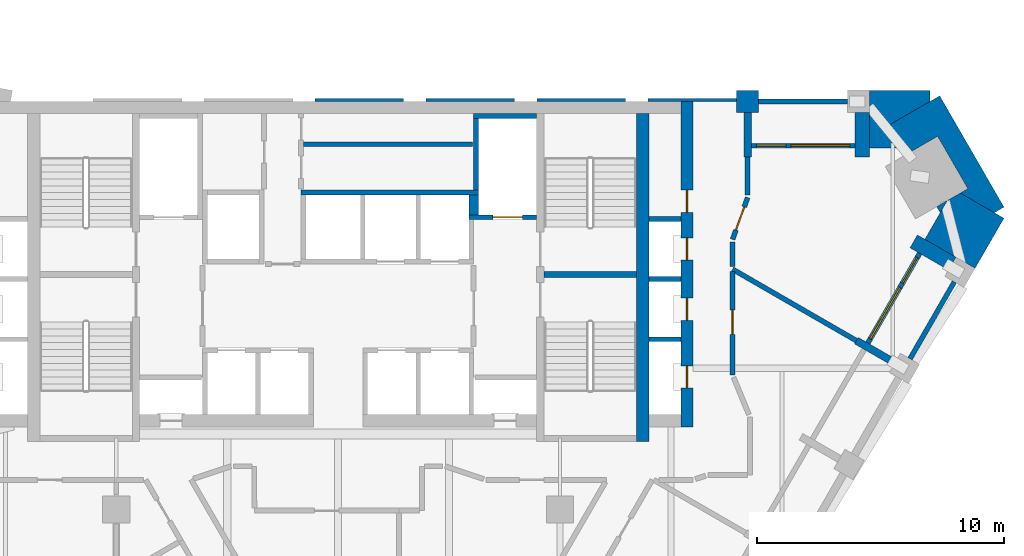
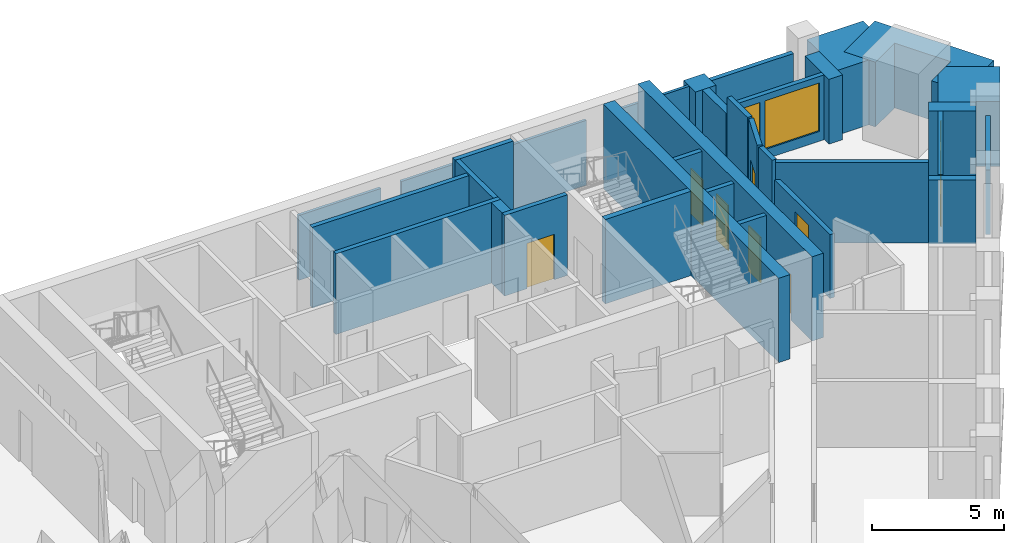
# One storey, part 7 of 9: 34 walls, 9 doors, 2 windows, 11 openings.
"""IFC4 building model written with IfcOpenShell, lengths in metres."""

from ifc_helpers import new_model, si_unit, direction, frame, frame_2d, origin, place, context, subcontext, project, spatial, polyline, rectangle, outline, extrude, material, layer, layer_set, type_object, element, fill, save


model = new_model("IFC4")

# Units and contexts
model_context = context("Model", 3, precision=1e-05, world=origin(), true_north=direction((0.0, 1.0)))
body_context = subcontext(model_context, "Body", "Model", "MODEL_VIEW")
ifc_project = project(units=[si_unit("LENGTHUNIT", "METRE"), si_unit("AREAUNIT", "SQUARE_METRE"), si_unit("VOLUMEUNIT", "CUBIC_METRE"), si_unit("PLANEANGLEUNIT", "RADIAN"), si_unit("MASSUNIT", "GRAM", prefix="KILO")], contexts=[model_context])

# Site, building, storey
site_placement = place(None, origin())
site = spatial("IfcSite", under=ifc_project, at=site_placement, CompositionType="ELEMENT")
building_placement = place(site_placement, origin())
building = spatial("IfcBuilding", under=site, at=building_placement, Name="Calabash Gate Tower", CompositionType="ELEMENT")
storey_placement = place(building_placement, frame((0.0, 0.0, 215.89990234375)))
storey = spatial("IfcBuildingStorey", under=building, at=storey_placement, Name="L51", CompositionType="ELEMENT", Elevation=215.89990234375)

# Walls
ifc_material_1 = material(Name="Terracotta brick masonry, exposed face", Category="masonry")
ifc_layer_1 = layer(ifc_material_1, 2.35009765625)
ifc_layer_set_1 = layer_set([ifc_layer_1], Name="Brick corner mass wall 2350")
wall_type_1 = type_object("IfcWallType", Name="Brick corner mass wall 2350", PredefinedType="SOLIDWALL", material=ifc_layer_set_1)
wall_1_placement = place(storey_placement, origin())
element("IfcWall", 1, at=wall_1_placement, inside=storey, type_object=wall_type_1, Name="Brick corner pier S14 3a", PredefinedType="SOLIDWALL", context=body_context, shape_type="SweptSolid", body=[
    extrude(outline(polyline([(23.80224609375, 13.456298828125), (25.05810546875, 12.731201171875), (25.058349609375, 12.731689453125), (25.837646484375, 12.28173828125), (27.009521484375, 14.311767578125), (25.237548828125, 15.334716796875), (24.711181640625, 15.03076171875), (23.80224609375, 13.456298828125)])), origin(), (0.0, 0.0, 1.0), 3.0),
])
wall_2_placement = place(storey_placement, origin())
element("IfcWall", 2, at=wall_2_placement, inside=storey, type_object=wall_type_1, Name="Brick corner pier S14 3ba", PredefinedType="SOLIDWALL", context=body_context, shape_type="SweptSolid", body=[
    extrude(outline(polyline([(24.426025390625, 14.53662109375), (24.711181640625, 15.03076171875), (24.283203125, 14.78369140625), (24.426025390625, 14.53662109375)])), origin(), (0.0, 0.0, 1.0), 3.0),
])
wall_3_placement = place(storey_placement, origin())
element("IfcWall", 3, at=wall_3_placement, inside=storey, type_object=wall_type_1, Name="Brick corner pier S14 3bb", PredefinedType="SOLIDWALL", context=body_context, shape_type="SweptSolid", body=[
    extrude(outline(polyline([(24.3173828125, 17.63232421875), (25.54248046875, 15.510498046875), (25.237548828125, 15.334716796875), (26.619873046875, 14.53662109375), (27.009521484375, 14.76171875), (24.40234375, 19.277587890625), (22.3671875, 18.1025390625), (23.058349609375, 16.905517578125), (24.3173828125, 17.63232421875)])), origin(), (0.0, 0.0, 1.0), 3.0),
])
wall_4_placement = place(storey_placement, origin())
element("IfcWall", 4, at=wall_4_placement, inside=storey, type_object=wall_type_1, Name="Brick corner pier S14 3c", PredefinedType="SOLIDWALL", context=body_context, shape_type="SweptSolid", body=[
    extrude(outline(polyline([(21.560791015625, 18.60302734375), (21.560791015625, 17.152587890625), (22.91552734375, 17.152587890625), (22.3671875, 18.1025390625), (24.0126953125, 19.052490234375), (24.0126953125, 19.50244140625), (21.56103515625, 19.50244140625), (21.56103515625, 18.60302734375), (21.560791015625, 18.60302734375)])), origin(), (0.0, 0.0, 1.0), 3.0),
])
ifc_material_2 = material(Name="Terracotta brick masonry, exposed face", Category="masonry")
ifc_layer_2 = layer(ifc_material_2, 0.89990234375)
ifc_layer_set_2 = layer_set([ifc_layer_2], Name="Brick end wall 900")
wall_type_2 = type_object("IfcWallType", Name="Brick end wall 900", PredefinedType="SOLIDWALL", material=ifc_layer_set_2)
wall_5_placement = place(storey_placement, origin())
element("IfcWall", 5, at=wall_5_placement, inside=storey, type_object=wall_type_2, Name="Brick pier S14 N4.1", PredefinedType="SOLIDWALL", context=body_context, shape_type="SweptSolid", body=[
    extrude(outline(polyline([(17.060791015625, 19.50244140625), (16.160888671875, 19.50244140625), (16.160888671875, 18.6025390625), (17.060791015625, 18.6025390625), (17.060791015625, 19.50244140625)])), origin(), (0.0, 0.0, 1.0), 3.0),
])
ifc_material_3 = material(Name="Terracotta brick masonry, exposed face", Category="masonry")
ifc_layer_3 = layer(ifc_material_3, 0.300048828125)
ifc_layer_set_3 = layer_set([ifc_layer_3], Name="Brick loggia cheek wall 300")
wall_type_3 = type_object("IfcWallType", Name="Brick loggia cheek wall 300", PredefinedType="SOLIDWALL", material=ifc_layer_set_3)
wall_6_placement = place(storey_placement, frame((21.02392578125, 9.344482421875, 0.0), z_axis=(0.0, 0.0, 1.0), x_axis=(0.865989075817, -0.500062916607, 0.0)))
element("IfcWall", 6, at=wall_6_placement, inside=storey, type_object=wall_type_3, Name="Loggia cheek S14 SE2.8", PredefinedType="SOLIDWALL", context=body_context, shape_type="SweptSolid", body=[
    extrude(rectangle(XDim=1.800048828125, YDim=0.300048828125, at=frame_2d((0.89990234375, 0.0))), origin(), (0.0, 0.0, 1.0), 2.9501953125),
])
wall_7_placement = place(storey_placement, frame((24.907958984375, 12.471435546875, 0.0), z_axis=(0.0, 0.0, 1.0), x_axis=(-0.866047807691, 0.499961193289, 0.0)))
element("IfcWall", 7, at=wall_7_placement, inside=storey, type_object=wall_type_3, Name="Loggia cheek S14 SE2.9", PredefinedType="SOLIDWALL", context=body_context, shape_type="SweptSolid", body=[
    extrude(rectangle(XDim=1.800048828125, YDim=0.60009765625, at=frame_2d((0.89990234375, 0.0))), origin(), (0.0, 0.0, 1.0), 3.0),
])
wall_8_placement = place(storey_placement, origin())
element("IfcWall", 8, at=wall_8_placement, inside=storey, type_object=wall_type_3, Name="Loggia cheek S14 N4.0", PredefinedType="SOLIDWALL", context=body_context, shape_type="SweptSolid", body=[
    extrude(outline(polyline([(21.560791015625, 16.802490234375), (21.560791015625, 18.6025390625), (20.9609375, 18.6025390625), (20.9609375, 16.802490234375), (21.560791015625, 16.802490234375)])), origin(), (0.0, 0.0, 1.0), 3.0),
])
wall_9_placement = place(storey_placement, origin())
element("IfcWall", 9, at=wall_9_placement, inside=storey, type_object=wall_type_3, Name="Loggia cheek S14 N4.1", PredefinedType="SOLIDWALL", context=body_context, shape_type="SweptSolid", body=[
    extrude(outline(polyline([(16.4609375, 18.6025390625), (16.4609375, 16.802490234375), (16.7607421875, 16.802490234375), (16.7607421875, 18.6025390625), (16.4609375, 18.6025390625)])), origin(), (0.0, 0.0, 1.0), 3.0),
])
ifc_material_4 = material(Name="Concrete C70/85", Category="concrete")
ifc_layer_4 = layer(ifc_material_4, 0.25)
ifc_layer_set_4 = layer_set([ifc_layer_4], Name="Core wall 250 Concrete C70/85")
wall_type_4 = type_object("IfcWallType", Name="Core wall 250 Concrete C70/85", PredefinedType="SHEAR", material=ifc_layer_set_4)
wall_10_placement = place(storey_placement, frame((8.35009765625, 12.027587890625, 0.0), z_axis=(0.0, 0.0, 1.0), x_axis=(1.0, 0.0, 0.0)))
element("IfcWall", 10, at=wall_10_placement, inside=storey, type_object=wall_type_4, Name="Core wall Z4-MIDE L51", PredefinedType="SHEAR", context=body_context, shape_type="SweptSolid", body=[
    extrude(rectangle(XDim=3.75, YDim=0.25, at=frame_2d((1.875, 0.0))), origin(), (0.0, 0.0, 1.0), 3.900146484375),
])
ifc_material_5 = material(Name="Concrete C70/85", Category="concrete")
ifc_layer_5 = layer(ifc_material_5, 0.5)
ifc_layer_set_5 = layer_set([ifc_layer_5], Name="Core wall 500 Concrete C70/85")
wall_type_5 = type_object("IfcWallType", Name="Core wall 500 Concrete C70/85", PredefinedType="SHEAR", material=ifc_layer_set_5)
wall_11_placement = place(storey_placement, frame((12.35009765625, 5.252685546875, 0.0), z_axis=(0.0, 0.0, 1.0), x_axis=(0.0, 1.0, 0.0)))
element("IfcWall", 11, at=wall_11_placement, inside=storey, type_object=wall_type_5, Name="Core wall Z4-COLE L51", PredefinedType="SHEAR", context=body_context, shape_type="SweptSolid", body=[
    extrude(rectangle(XDim=13.2998046875, YDim=0.5, at=frame_2d((6.64990234375, 0.0))), origin(), (0.0, 0.0, 1.0), 3.900146484375),
])

# Wall, openings, doors
wall_12_placement = place(storey_placement, frame((14.14990234375, 5.8525390625, 0.0), z_axis=(0.0, 0.0, 1.0), x_axis=(0.0, 1.0, 0.0)))
wall_12 = element("IfcWall", 12, at=wall_12_placement, inside=storey, type_object=wall_type_5, Name="Core wall Z4-ENDE L51", PredefinedType="SHEAR", context=body_context, shape_type="SweptSolid", body=[
    extrude(rectangle(XDim=13.199951171875, YDim=0.5, at=frame_2d((6.60009765625, 0.0))), origin(), (0.0, 0.0, 1.0), 3.900146484375),
])
opening_1_placement = place(wall_12_placement, frame((1.574951171875, 0.0, 0.0)))
opening_1 = element("IfcOpeningElement", 13, at=opening_1_placement, cuts=wall_12, Name="Opening O6-001", PredefinedType="OPENING", context=body_context, shape_type="SweptSolid", body=[
    extrude(rectangle(XDim=0.89990234375, YDim=2.10009765625, at=frame_2d((0.449951171875, 1.050048828125))), frame((0.0, 0.260009765625, 0.0), z_axis=(0.0, -1.0, 0.0), x_axis=(1.0, 0.0, 0.0)), (0.0, 0.0, 1.0), 0.52001953125),
])
opening_2_placement = place(wall_12_placement, frame((4.320068359375, 0.0, 0.0)))
opening_2 = element("IfcOpeningElement", 14, at=opening_2_placement, cuts=wall_12, Name="Opening O6-002", PredefinedType="OPENING", context=body_context, shape_type="SweptSolid", body=[
    extrude(rectangle(XDim=0.89990234375, YDim=2.10009765625, at=frame_2d((0.449951171875, 1.050048828125))), frame((0.0, 0.260009765625, 0.0), z_axis=(0.0, -1.0, 0.0), x_axis=(1.0, 0.0, 0.0)), (0.0, 0.0, 1.0), 0.52001953125),
])
opening_3_placement = place(wall_12_placement, frame((6.760009765625, 0.0, 0.0)))
opening_3 = element("IfcOpeningElement", 15, at=opening_3_placement, cuts=wall_12, Name="Opening O6-003", PredefinedType="OPENING", context=body_context, shape_type="SweptSolid", body=[
    extrude(rectangle(XDim=0.89990234375, YDim=2.10009765625, at=frame_2d((0.449951171875, 1.050048828125))), frame((0.0, 0.260009765625, 0.0), z_axis=(0.0, -1.0, 0.0), x_axis=(1.0, 0.0, 0.0)), (0.0, 0.0, 1.0), 0.52001953125),
])
opening_4_placement = place(wall_12_placement, frame((8.697509765625, 0.0, 0.0)))
opening_4 = element("IfcOpeningElement", 16, at=opening_4_placement, cuts=wall_12, Name="Opening O6-004", PredefinedType="OPENING", context=body_context, shape_type="SweptSolid", body=[
    extrude(rectangle(XDim=0.89990234375, YDim=2.10009765625, at=frame_2d((0.449951171875, 1.050048828125))), frame((0.0, 0.260009765625, 0.0), z_axis=(0.0, -1.0, 0.0), x_axis=(1.0, 0.0, 0.0)), (0.0, 0.0, 1.0), 0.52001953125),
])
ifc_material_6 = material(Name="Steel fire door set with fire-resisting glazing", Category="steel")
door_type_1 = type_object("IfcDoorType", Name="Fire door D06 900x2100 FD60", OperationType="NOTDEFINED", PredefinedType="DOOR", material=ifc_material_6)
door_1_placement = place(opening_1_placement, origin())
door_1 = element("IfcDoor", 17, at=door_1_placement, inside=storey, type_object=door_type_1, Name="Duct Riser door", OperationType="SINGLE_SWING_LEFT", OverallHeight=2.10009765625, OverallWidth=0.89990234375, PredefinedType="DOOR", context=body_context, shape_type="SweptSolid", body=[
    extrude(rectangle(XDim=0.89990234375, YDim=2.10009765625, at=frame_2d((0.449951171875, 1.050048828125))), frame((0.0, 0.02490234375, 0.0), z_axis=(0.0, -1.0, 0.0), x_axis=(1.0, 0.0, 0.0)), (0.0, 0.0, 1.0), 0.050048828125),
])
fill(opening_1, door_1)
door_2_placement = place(opening_2_placement, origin())
door_2 = element("IfcDoor", 18, at=door_2_placement, inside=storey, type_object=door_type_1, Name="Electrical Riser door", OperationType="SINGLE_SWING_RIGHT", OverallHeight=2.10009765625, OverallWidth=0.89990234375, PredefinedType="DOOR", context=body_context, shape_type="SweptSolid", body=[
    extrude(rectangle(XDim=0.89990234375, YDim=2.10009765625, at=frame_2d((0.449951171875, 1.050048828125))), frame((0.0, 0.02490234375, 0.0), z_axis=(0.0, -1.0, 0.0), x_axis=(1.0, 0.0, 0.0)), (0.0, 0.0, 1.0), 0.050048828125),
])
fill(opening_2, door_2)
door_3_placement = place(opening_3_placement, origin())
door_3 = element("IfcDoor", 19, at=door_3_placement, inside=storey, type_object=door_type_1, Name="Comms Riser door", OperationType="SINGLE_SWING_LEFT", OverallHeight=2.10009765625, OverallWidth=0.89990234375, PredefinedType="DOOR", context=body_context, shape_type="SweptSolid", body=[
    extrude(rectangle(XDim=0.89990234375, YDim=2.10009765625, at=frame_2d((0.449951171875, 1.050048828125))), frame((0.0, 0.02490234375, 0.0), z_axis=(0.0, -1.0, 0.0), x_axis=(1.0, 0.0, 0.0)), (0.0, 0.0, 1.0), 0.050048828125),
])
fill(opening_3, door_3)
door_4_placement = place(opening_4_placement, origin())
door_4 = element("IfcDoor", 20, at=door_4_placement, inside=storey, type_object=door_type_1, Name="Cleaner's Store door", OperationType="SINGLE_SWING_LEFT", OverallHeight=2.10009765625, OverallWidth=0.89990234375, PredefinedType="DOOR", context=body_context, shape_type="SweptSolid", body=[
    extrude(rectangle(XDim=0.89990234375, YDim=2.10009765625, at=frame_2d((0.449951171875, 1.050048828125))), frame((0.0, 0.02490234375, 0.0), z_axis=(0.0, -1.0, 0.0), x_axis=(1.0, 0.0, 0.0)), (0.0, 0.0, 1.0), 0.050048828125),
])
fill(opening_4, door_4)

# Wall
ifc_material_7 = material(Name="Gypsum board on steel studs, mineral wool", Category="steel")
ifc_layer_6 = layer(ifc_material_7, 0.199951171875)
ifc_layer_set_6 = layer_set([ifc_layer_6], Name="Partition 200 gypsum board EI 60")
wall_type_6 = type_object("IfcWallType", Name="Partition 200 gypsum board EI 60", PredefinedType="PARTITIONING", material=ifc_layer_set_6)
wall_13_placement = place(storey_placement, frame((16.00048828125, 12.242431640625, 0.0), z_axis=(0.0, 0.0, 1.0), x_axis=(0.866181381022, -0.499729742132, 0.0)))
element("IfcWall", 21, at=wall_13_placement, inside=storey, type_object=wall_type_6, Name="Partition", PredefinedType="PARTITIONING", context=body_context, shape_type="SweptSolid", body=[
    extrude(rectangle(XDim=5.799560546875, YDim=0.199951171875, at=frame_2d((2.89990234375, 0.0))), origin(), (0.0, 0.0, 1.0), 3.72998046875),
])

# Wall, opening, door
wall_14_placement = place(storey_placement, frame((16.00048828125, 7.95263671875, 0.0), z_axis=(0.0, 0.0, 1.0), x_axis=(0.000349507755, 0.999999938922, 0.0)))
wall_14 = element("IfcWall", 22, at=wall_14_placement, inside=storey, type_object=wall_type_6, Name="Partition", PredefinedType="PARTITIONING", context=body_context, shape_type="SweptSolid", body=[
    extrude(rectangle(XDim=4.191162109375, YDim=0.199951171875, at=frame_2d((2.095703125, 0.0))), origin(), (0.0, 0.0, 1.0), 2.9501953125),
])
opening_5_placement = place(wall_14_placement, frame((1.64599609375, 0.0, 0.0)))
opening_5 = element("IfcOpeningElement", 23, at=opening_5_placement, cuts=wall_14, Name="Opening 49-51-014", PredefinedType="OPENING", context=body_context, shape_type="SweptSolid", body=[
    extrude(rectangle(XDim=1.0, YDim=2.39990234375, at=frame_2d((0.5, 1.199951171875))), frame((0.0, 0.10986328125, 0.0), z_axis=(0.0, -1.0, 0.0), x_axis=(1.0, 0.0, 0.0)), (0.0, 0.0, 1.0), 0.219970703125),
])
ifc_material_8 = material(Name="Painted timber door", Category="wood")
door_type_2 = type_object("IfcDoorType", Name="OD2 Glazed office door 1000x2400", OperationType="NOTDEFINED", PredefinedType="DOOR", material=ifc_material_8)
door_5_placement = place(opening_5_placement, origin())
door_5 = element("IfcDoor", 24, at=door_5_placement, inside=storey, type_object=door_type_2, Name="Glazed office door", OperationType="SINGLE_SWING_LEFT", OverallHeight=2.39990234375, OverallWidth=1.0, PredefinedType="DOOR", context=body_context, shape_type="SweptSolid", body=[
    extrude(rectangle(XDim=1.0, YDim=2.39990234375, at=frame_2d((0.5, 1.199951171875))), frame((0.0, 0.02490234375, 0.0), z_axis=(0.0, -1.0, 0.0), x_axis=(1.0, 0.0, 0.0)), (0.0, 0.0, 1.0), 0.050048828125),
])
fill(opening_5, door_5)

# Wall
wall_15_placement = place(storey_placement, frame((16.00048828125, 13.3525390625, 0.0), z_axis=(0.0, 0.0, 1.0), x_axis=(0.001452431293, -0.999998945221, 0.0)))
element("IfcWall", 25, at=wall_15_placement, inside=storey, type_object=wall_type_6, Name="Partition", PredefinedType="PARTITIONING", context=body_context, shape_type="SweptSolid", body=[
    extrude(rectangle(XDim=1.008544921875, YDim=0.199951171875, at=frame_2d((0.50439453125, 0.0))), origin(), (0.0, 0.0, 1.0), 3.72998046875),
])

# Wall, opening, door
wall_16_placement = place(storey_placement, frame((16.00048828125, 13.452392578125, 0.0), z_axis=(0.0, 0.0, 1.0), x_axis=(0.338159450366, 0.941088830094, 0.0)))
wall_16 = element("IfcWall", 26, at=wall_16_placement, inside=storey, type_object=wall_type_6, Name="Partition", PredefinedType="PARTITIONING", context=body_context, shape_type="SweptSolid", body=[
    extrude(rectangle(XDim=1.806396484375, YDim=0.199951171875, at=frame_2d((0.9033203125, 0.0))), origin(), (0.0, 0.0, 1.0), 3.72998046875),
])
opening_6_placement = place(wall_16_placement, frame((0.403076171875, 0.0, 0.0)))
opening_6 = element("IfcOpeningElement", 27, at=opening_6_placement, cuts=wall_16, Name="Opening 49-51-013", PredefinedType="OPENING", context=body_context, shape_type="SweptSolid", body=[
    extrude(rectangle(XDim=1.0, YDim=2.10009765625, at=frame_2d((0.5, 1.050048828125))), frame((0.0, 0.10986328125, 0.0), z_axis=(0.0, -1.0, 0.0), x_axis=(1.0, 0.0, 0.0)), (0.0, 0.0, 1.0), 0.219970703125),
])
ifc_material_9 = material(Name="Steel fire door set with fire-resisting glazing", Category="steel")
door_type_3 = type_object("IfcDoorType", Name="LD2 Meeting room door 1000x2100", OperationType="NOTDEFINED", PredefinedType="DOOR", material=ifc_material_9)
door_6_placement = place(opening_6_placement, origin())
door_6 = element("IfcDoor", 28, at=door_6_placement, inside=storey, type_object=door_type_3, Name="Meeting room door", OperationType="SINGLE_SWING_LEFT", OverallHeight=2.10009765625, OverallWidth=1.0, PredefinedType="DOOR", context=body_context, shape_type="SweptSolid", body=[
    extrude(rectangle(XDim=1.0, YDim=2.10009765625, at=frame_2d((0.5, 1.050048828125))), frame((0.0, 0.02490234375, 0.0), z_axis=(0.0, -1.0, 0.0), x_axis=(1.0, 0.0, 0.0)), (0.0, 0.0, 1.0), 0.050048828125),
])
fill(opening_6, door_6)

# Walls
wall_17_placement = place(storey_placement, frame((16.611328125, 15.25244140625, 0.0), z_axis=(0.0, 0.0, 1.0), x_axis=(0.0, 1.0, 0.0)))
element("IfcWall", 29, at=wall_17_placement, inside=storey, type_object=wall_type_6, Name="Partition", PredefinedType="PARTITIONING", context=body_context, shape_type="SweptSolid", body=[
    extrude(rectangle(XDim=1.550048828125, YDim=0.199951171875, at=frame_2d((0.77490234375, 0.0))), origin(), (0.0, 0.0, 1.0), 3.72998046875),
])
ifc_material_10 = material(Name="Concrete C40/50", Category="concrete")
ifc_layer_7 = layer(ifc_material_10, 0.199951171875)
ifc_layer_set_7 = layer_set([ifc_layer_7], Name="Shaft wall 200 Concrete C40/50")
wall_type_7 = type_object("IfcWallType", Name="Shaft wall 200 Concrete C40/50", PredefinedType="SOLIDWALL", material=ifc_layer_set_7)
for number, where, z_axis, x_axis, name in (
    (30, (12.60009765625, 9.402587890625, 0.0), (0.0, 0.0, 1.0), (1.0, 0.0, 0.0), "Shaft wall"),
    (31, (12.60009765625, 11.842529296875, 0.0), (0.0, 0.0, 1.0), (1.0, 0.0, 0.0), "Shaft wall"),
    (32, (12.60009765625, 14.28271484375, 0.0), (0.0, 0.0, 1.0), (1.0, 0.0, 0.0), "Shaft wall"),
):
    element("IfcWall", number, at=place(storey_placement, frame(where, z_axis=z_axis, x_axis=x_axis)), inside=storey, type_object=wall_type_7, Name=name, PredefinedType="SOLIDWALL", context=body_context, shape_type="SweptSolid", body=[
        extrude(rectangle(XDim=1.2998046875, YDim=0.199951171875, at=frame_2d((0.64990234375, 0.0))), origin(), (0.0, 0.0, 1.0), 3.72998046875),
    ])

# Wall, opening, door
wall_18_placement = place(storey_placement, frame((5.300048828125, 14.3525390625, 0.0), z_axis=(0.0, 0.0, 1.0), x_axis=(1.0, 0.0, 0.0)))
wall_18 = element("IfcWall", 33, at=wall_18_placement, inside=storey, type_object=wall_type_7, Name="Shaft wall", PredefinedType="SOLIDWALL", context=body_context, shape_type="SweptSolid", body=[
    extrude(rectangle(XDim=2.75, YDim=0.199951171875, at=frame_2d((1.375, 0.0))), origin(), (0.0, 0.0, 1.0), 3.72998046875),
])
opening_7_placement = place(wall_18_placement, frame((0.97509765625, 0.0, 0.0)))
opening_7 = element("IfcOpeningElement", 34, at=opening_7_placement, cuts=wall_18, Name="Opening LD-FF2", PredefinedType="OPENING", context=body_context, shape_type="SweptSolid", body=[
    extrude(rectangle(XDim=1.199951171875, YDim=2.10009765625, at=frame_2d((0.60009765625, 1.050048828125))), frame((0.0, 0.10986328125, 0.0), z_axis=(0.0, -1.0, 0.0), x_axis=(1.0, 0.0, 0.0)), (0.0, 0.0, 1.0), 0.219970703125),
])
ifc_material_11 = material(Name="Stainless steel sliding door leaves", Category="steel")
door_type_4 = type_object("IfcDoorType", Name="Lift landing door LS3 1200x2100 FD90", OperationType="DOUBLE_DOOR_SLIDING", PredefinedType="DOOR", material=ifc_material_11)
door_7_placement = place(opening_7_placement, origin())
door_7 = element("IfcDoor", 35, at=door_7_placement, inside=storey, type_object=door_type_4, Name="Lift landing door FF2", OperationType="DOUBLE_DOOR_SLIDING", OverallHeight=2.10009765625, OverallWidth=1.199951171875, PredefinedType="DOOR", context=body_context, shape_type="SweptSolid", body=[
    extrude(rectangle(XDim=1.199951171875, YDim=2.10009765625, at=frame_2d((0.60009765625, 1.050048828125))), frame((0.0, 0.02490234375, 0.0), z_axis=(0.0, -1.0, 0.0), x_axis=(1.0, 0.0, 0.0)), (0.0, 0.0, 1.0), 0.050048828125),
])
fill(opening_7, door_7)

# Walls
wall_19_placement = place(storey_placement, frame((5.5, 14.45263671875, 0.0), z_axis=(0.0, 0.0, 1.0), x_axis=(0.0, 1.0, 0.0)))
element("IfcWall", 36, at=wall_19_placement, inside=storey, type_object=wall_type_7, Name="Shaft wall", PredefinedType="SOLIDWALL", context=body_context, shape_type="SweptSolid", body=[
    extrude(rectangle(XDim=0.800048828125, YDim=0.39990234375, at=frame_2d((0.39990234375, 0.0))), origin(), (0.0, 0.0, 1.0), 3.72998046875),
])
wall_20_placement = place(storey_placement, frame((-1.5, 15.3525390625, 0.0), z_axis=(0.0, 0.0, 1.0), x_axis=(1.0, 0.0, 0.0)))
element("IfcWall", 37, at=wall_20_placement, inside=storey, type_object=wall_type_7, Name="Shaft wall", PredefinedType="SOLIDWALL", context=body_context, shape_type="SweptSolid", body=[
    extrude(rectangle(XDim=7.199951171875, YDim=0.199951171875, at=frame_2d((3.60009765625, 0.0))), origin(), (0.0, 0.0, 1.0), 3.72998046875),
])
wall_21_placement = place(storey_placement, frame((5.60009765625, 15.45263671875, 0.0), z_axis=(0.0, 0.0, 1.0), x_axis=(0.0, 1.0, 0.0)))
element("IfcWall", 38, at=wall_21_placement, inside=storey, type_object=wall_type_7, Name="Shaft wall", PredefinedType="SOLIDWALL", context=body_context, shape_type="SweptSolid", body=[
    extrude(rectangle(XDim=2.89990234375, YDim=0.199951171875, at=frame_2d((1.449951171875, 0.0))), origin(), (0.0, 0.0, 1.0), 3.72998046875),
])
wall_22_placement = place(storey_placement, frame((-1.39990234375, 17.3125, 0.0), z_axis=(0.0, 0.0, 1.0), x_axis=(1.0, 0.0, 0.0)))
element("IfcWall", 39, at=wall_22_placement, inside=storey, type_object=wall_type_7, Name="Shaft wall", PredefinedType="SOLIDWALL", context=body_context, shape_type="SweptSolid", body=[
    extrude(rectangle(XDim=6.849853515625, YDim=0.199951171875, at=frame_2d((3.4248046875, 0.0))), origin(), (0.0, 0.0, 1.0), 3.72998046875),
])
wall_23_placement = place(storey_placement, frame((5.5, 18.45263671875, 0.0), z_axis=(0.0, 0.0, 1.0), x_axis=(1.0, 0.0, 0.0)))
element("IfcWall", 40, at=wall_23_placement, inside=storey, type_object=wall_type_7, Name="Shaft wall", PredefinedType="SOLIDWALL", context=body_context, shape_type="SweptSolid", body=[
    extrude(rectangle(XDim=2.550048828125, YDim=0.199951171875, at=frame_2d((1.27490234375, 0.0))), origin(), (0.0, 0.0, 1.0), 3.72998046875),
])
ifc_material_12 = material(Name="Terracotta brick masonry, perforated", Category="masonry")
ifc_layer_8 = layer(ifc_material_12, 0.1201171875)
ifc_layer_set_8 = layer_set([ifc_layer_8], Name="Terracotta jaali cladding B 120")
wall_type_8 = type_object("IfcWallType", Name="Terracotta jaali cladding B 120", PredefinedType="SOLIDWALL", material=ifc_layer_set_8)
wall_24_placement = place(storey_placement, origin())
element("IfcWall", 41, at=wall_24_placement, inside=storey, type_object=wall_type_8, Name="Jaali cladding S14 N4.3", PredefinedType="SOLIDWALL", context=body_context, shape_type="SweptSolid", body=[
    extrude(outline(polyline([(8.060791015625, 19.172607421875), (8.060791015625, 19.052490234375), (11.660888671875, 19.052490234375), (11.660888671875, 19.172607421875), (8.060791015625, 19.172607421875)])), origin(), (0.0, 0.0, 1.0), 3.0),
])
wall_25_placement = place(storey_placement, origin())
element("IfcWall", 42, at=wall_25_placement, inside=storey, type_object=wall_type_8, Name="Jaali cladding S14 N4.5", PredefinedType="SOLIDWALL", context=body_context, shape_type="SweptSolid", body=[
    extrude(outline(polyline([(-0.939208984375, 19.172607421875), (-0.939208984375, 19.052490234375), (2.660888671875, 19.052490234375), (2.660888671875, 19.172607421875), (-0.939208984375, 19.172607421875)])), origin(), (0.0, 0.0, 1.0), 3.0),
])
ifc_material_13 = material(Name="Terracotta brick masonry, perforated", Category="masonry")
ifc_layer_9 = layer(ifc_material_13, 0.199951171875)
ifc_layer_set_9 = layer_set([ifc_layer_9], Name="Terracotta jaali screen B")
wall_type_9 = type_object("IfcWallType", Name="Terracotta jaali screen B", PredefinedType="SOLIDWALL", material=ifc_layer_set_9)
for number, where, z_axis, x_axis, name in (
    (43, (23.197509765625, 8.609130859375, 0.0), (0.0, 0.0, 1.0), (0.500012057535, 0.866018442252, 0.0), "SCREEN B S14 SE2.9"),
    (44, (20.660888671875, 19.052490234375, 0.0), (0.0, 0.0, 1.0), (-1.0, 0.0, 0.0), "SCREEN B S14 N4.1"),
):
    element("IfcWall", number, at=place(storey_placement, frame(where, z_axis=z_axis, x_axis=x_axis)), inside=storey, type_object=wall_type_9, Name=name, PredefinedType="SOLIDWALL", context=body_context, shape_type="SweptSolid", body=[
        extrude(rectangle(XDim=3.60009765625, YDim=0.199951171875, at=frame_2d((1.800048828125, 0.0))), origin(), (0.0, 0.0, 1.0), 3.0),
    ])
ifc_material_14 = material(Name="Terracotta louvre blades in an aluminium frame", Category="masonry")
ifc_layer_10 = layer(ifc_material_14, 0.1201171875)
ifc_layer_set_10 = layer_set([ifc_layer_10], Name="Terracotta vent louvre cladding 120")
wall_type_10 = type_object("IfcWallType", Name="Terracotta vent louvre cladding 120", PredefinedType="ELEMENTEDWALL", material=ifc_layer_set_10)
wall_26_placement = place(storey_placement, origin())
element("IfcWall", 45, at=wall_26_placement, inside=storey, type_object=wall_type_10, Name="Vent louvre cladding S14 N4.2", PredefinedType="ELEMENTEDWALL", context=body_context, shape_type="SweptSolid", body=[
    extrude(outline(polyline([(12.560791015625, 19.172607421875), (12.560791015625, 19.052490234375), (16.160400390625, 19.052490234375), (16.160400390625, 19.172607421875), (12.560791015625, 19.172607421875)])), origin(), (0.0, 0.0, 1.0), 3.0),
])
wall_27_placement = place(storey_placement, origin())
element("IfcWall", 46, at=wall_27_placement, inside=storey, type_object=wall_type_10, Name="Vent louvre cladding S14 N4.4", PredefinedType="ELEMENTEDWALL", context=body_context, shape_type="SweptSolid", body=[
    extrude(outline(polyline([(3.560791015625, 19.172607421875), (3.560791015625, 19.052490234375), (7.160888671875, 19.052490234375), (7.160888671875, 19.172607421875), (3.560791015625, 19.172607421875)])), origin(), (0.0, 0.0, 1.0), 3.0),
])

# Wall, openings, door, window
ifc_material_15 = material(Name="Aluminium framed window wall with insulated spandrel", Category="aluminium")
ifc_layer_11 = layer(ifc_material_15, 0.199951171875)
ifc_layer_set_11 = layer_set([ifc_layer_11], Name="Window wall 200")
wall_type_11 = type_object("IfcWallType", Name="Window wall 200", PredefinedType="ELEMENTEDWALL", material=ifc_layer_set_11)
wall_28_placement = place(storey_placement, frame((21.48876953125, 9.249267578125, 0.0), z_axis=(0.0, 0.0, 1.0), x_axis=(0.500002543286, 0.866023935413, 0.0)))
wall_28 = element("IfcWall", 47, at=wall_28_placement, inside=storey, type_object=wall_type_11, Name="Window wall S14 SE2.9", PredefinedType="ELEMENTEDWALL", context=body_context, shape_type="SweptSolid", body=[
    extrude(rectangle(XDim=4.2001953125, YDim=0.199951171875, at=frame_2d((2.10009765625, 0.0))), origin(), (0.0, 0.0, 1.0), 3.0),
])
opening_8_placement = place(wall_28_placement, frame((0.199951171875, 0.0, 0.449951171875)))
opening_8 = element("IfcOpeningElement", 48, at=opening_8_placement, cuts=wall_28, Name="Opening OW1", PredefinedType="OPENING", context=body_context, shape_type="SweptSolid", body=[
    extrude(rectangle(XDim=2.39990234375, YDim=2.25, at=frame_2d((1.199951171875, 1.125))), frame((0.0, 0.10986328125, 0.0), z_axis=(0.0, -1.0, 0.0), x_axis=(1.0, 0.0, 0.0)), (0.0, 0.0, 1.0), 0.219970703125),
])
opening_9_placement = place(wall_28_placement, frame((2.800048828125, 0.0, 0.0)))
opening_9 = element("IfcOpeningElement", 49, at=opening_9_placement, cuts=wall_28, Name="Opening O6-024", PredefinedType="OPENING", context=body_context, shape_type="SweptSolid", body=[
    extrude(rectangle(XDim=1.199951171875, YDim=2.699951171875, at=frame_2d((0.60009765625, 1.35009765625))), frame((0.0, 0.10986328125, 0.0), z_axis=(0.0, -1.0, 0.0), x_axis=(1.0, 0.0, 0.0)), (0.0, 0.0, 1.0), 0.219970703125),
])
ifc_material_16 = material(Name="Anodised aluminium frame, bronze finish, impact-rated laminated clear glazing", Category="aluminium")
door_type_5 = type_object("IfcDoorType", Name="Loggia door DO1 1200x2700", OperationType="SLIDING_TO_LEFT", PredefinedType="DOOR", material=ifc_material_16)
door_8_placement = place(opening_9_placement, origin())
door_8 = element("IfcDoor", 50, at=door_8_placement, inside=storey, type_object=door_type_5, Name="Loggia door S14 SE2.9", OperationType="SINGLE_SWING_LEFT", OverallHeight=2.699951171875, OverallWidth=1.199951171875, PredefinedType="DOOR", context=body_context, shape_type="SweptSolid", body=[
    extrude(rectangle(XDim=1.199951171875, YDim=2.699951171875, at=frame_2d((0.60009765625, 1.35009765625))), frame((0.0, 0.02490234375, 0.0), z_axis=(0.0, -1.0, 0.0), x_axis=(1.0, 0.0, 0.0)), (0.0, 0.0, 1.0), 0.050048828125),
])
fill(opening_9, door_8)
ifc_material_17 = material(Name="Anodised aluminium frame, bronze finish, impact-rated laminated clear glazing", Category="aluminium")
window_type = type_object("IfcWindowType", Name="Window OW1 2400x2250", PartitioningType="DOUBLE_PANEL_VERTICAL", PredefinedType="WINDOW", material=ifc_material_17)
window_1_placement = place(opening_8_placement, origin())
window_1 = element("IfcWindow", 51, at=window_1_placement, inside=storey, type_object=window_type, Name="Window OW1 S14 SE2.9", OverallHeight=2.25, OverallWidth=2.39990234375, PartitioningType="SINGLE_PANEL", PredefinedType="WINDOW", context=body_context, shape_type="SweptSolid", body=[
    extrude(rectangle(XDim=2.39990234375, YDim=2.25, at=frame_2d((1.199951171875, 1.125))), frame((0.0, 0.030029296875, 0.0), z_axis=(0.0, -1.0, 0.0), x_axis=(1.0, 0.0, 0.0)), (0.0, 0.0, 1.0), 0.06005859375),
])
fill(opening_8, window_1)

wall_29_placement = place(storey_placement, frame((20.9609375, 17.25244140625, 0.0), z_axis=(0.0, 0.0, 1.0), x_axis=(-1.0, 0.0, 0.0)))
wall_29 = element("IfcWall", 52, at=wall_29_placement, inside=storey, type_object=wall_type_11, Name="Window wall S14 N4.1", PredefinedType="ELEMENTEDWALL", context=body_context, shape_type="SweptSolid", body=[
    extrude(rectangle(XDim=4.2001953125, YDim=0.199951171875, at=frame_2d((2.10009765625, 0.0))), origin(), (0.0, 0.0, 1.0), 3.0),
])
opening_10_placement = place(wall_29_placement, frame((0.199951171875, 0.0, 0.449951171875)))
opening_10 = element("IfcOpeningElement", 53, at=opening_10_placement, cuts=wall_29, Name="Opening OW1", PredefinedType="OPENING", context=body_context, shape_type="SweptSolid", body=[
    extrude(rectangle(XDim=2.39990234375, YDim=2.25, at=frame_2d((1.199951171875, 1.125))), frame((0.0, 0.10986328125, 0.0), z_axis=(0.0, -1.0, 0.0), x_axis=(1.0, 0.0, 0.0)), (0.0, 0.0, 1.0), 0.219970703125),
])
opening_11_placement = place(wall_29_placement, frame((2.800048828125, 0.0, 0.0)))
opening_11 = element("IfcOpeningElement", 54, at=opening_11_placement, cuts=wall_29, Name="Opening O6-021", PredefinedType="OPENING", context=body_context, shape_type="SweptSolid", body=[
    extrude(rectangle(XDim=1.199951171875, YDim=2.699951171875, at=frame_2d((0.60009765625, 1.35009765625))), frame((0.0, 0.10986328125, 0.0), z_axis=(0.0, -1.0, 0.0), x_axis=(1.0, 0.0, 0.0)), (0.0, 0.0, 1.0), 0.219970703125),
])
door_9_placement = place(opening_11_placement, origin())
door_9 = element("IfcDoor", 55, at=door_9_placement, inside=storey, type_object=door_type_5, Name="Loggia door S14 N4.1", OperationType="SINGLE_SWING_LEFT", OverallHeight=2.699951171875, OverallWidth=1.199951171875, PredefinedType="DOOR", context=body_context, shape_type="SweptSolid", body=[
    extrude(rectangle(XDim=1.199951171875, YDim=2.699951171875, at=frame_2d((0.60009765625, 1.35009765625))), frame((0.0, 0.02490234375, 0.0), z_axis=(0.0, -1.0, 0.0), x_axis=(1.0, 0.0, 0.0)), (0.0, 0.0, 1.0), 0.050048828125),
])
fill(opening_11, door_9)
window_2_placement = place(opening_10_placement, origin())
window_2 = element("IfcWindow", 56, at=window_2_placement, inside=storey, type_object=window_type, Name="Window OW1 S14 N4.1", OverallHeight=2.25, OverallWidth=2.39990234375, PartitioningType="SINGLE_PANEL", PredefinedType="WINDOW", context=body_context, shape_type="SweptSolid", body=[
    extrude(rectangle(XDim=2.39990234375, YDim=2.25, at=frame_2d((1.199951171875, 1.125))), frame((0.0, 0.030029296875, 0.0), z_axis=(0.0, -1.0, 0.0), x_axis=(1.0, 0.0, 0.0)), (0.0, 0.0, 1.0), 0.06005859375),
])
fill(opening_10, window_2)

save(model, "model.ifc")
